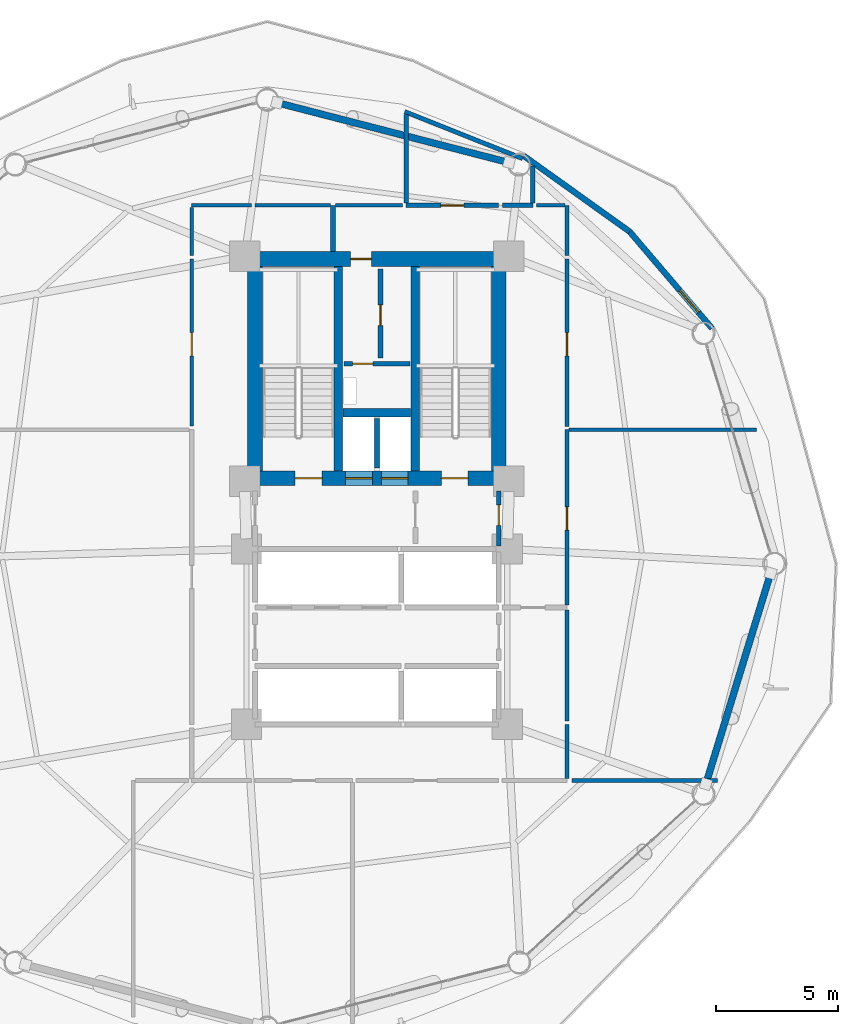
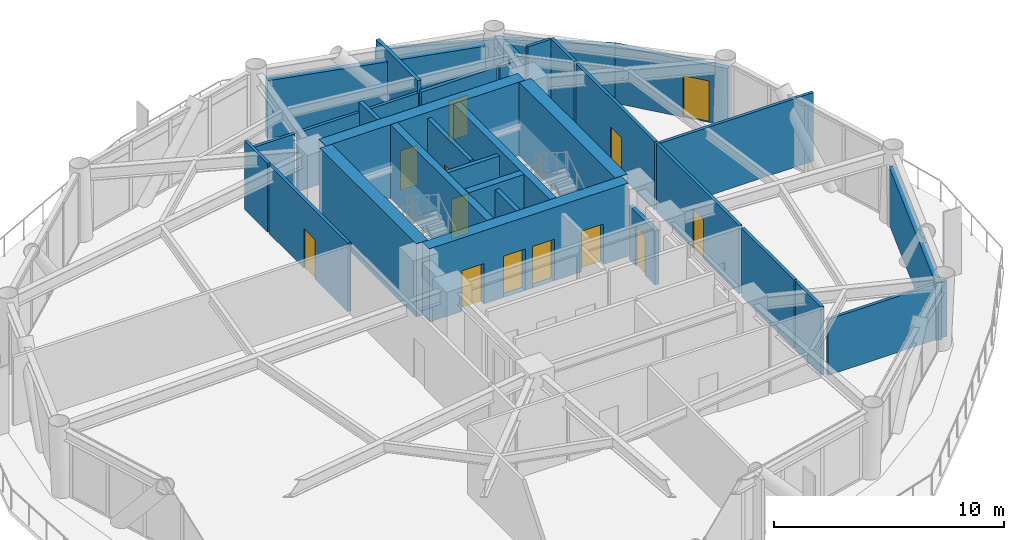
# One storey, part 20 of 24: 34 walls, 13 doors, 13 openings.
"""IFC4 building model written with IfcOpenShell, lengths in metres."""

from ifc_helpers import new_model, si_unit, direction, frame, frame_2d, origin, place, context, subcontext, project, spatial, rectangle, extrude, material, layer, layer_set, type_object, element, fill, save


model = new_model("IFC4")

# Units and contexts
model_context = context("Model", 3, precision=1e-05, world=origin(), true_north=direction((0.0, 1.0)))
body_context = subcontext(model_context, "Body", "Model", "MODEL_VIEW")
ifc_project = project(units=[si_unit("LENGTHUNIT", "METRE"), si_unit("AREAUNIT", "SQUARE_METRE"), si_unit("VOLUMEUNIT", "CUBIC_METRE"), si_unit("PLANEANGLEUNIT", "RADIAN"), si_unit("MASSUNIT", "GRAM", prefix="KILO")], contexts=[model_context])

# Site, building, storey
site_placement = place(None, origin())
site = spatial("IfcSite", under=ifc_project, at=site_placement, CompositionType="ELEMENT")
building_placement = place(site_placement, origin())
building = spatial("IfcBuilding", under=site, at=building_placement, Name="Varnakorn Sky Granary", CompositionType="ELEMENT")
storey_placement = place(building_placement, frame((0.0, 0.0, 43.199951171875)))
storey = spatial("IfcBuildingStorey", under=building, at=storey_placement, Name="L10", CompositionType="ELEMENT", Elevation=43.199951171875)

# Walls
ifc_material_1 = material(Name="Concrete C50/60", Category="concrete")
ifc_layer_1 = layer(ifc_material_1, 0.35009765625, Name="Concrete C50/60")
ifc_layer_set_1 = layer_set([ifc_layer_1], Name="Concrete C50/60")
wall_type_1 = type_object("IfcWallType", Name="WT-CW-INT-350", PredefinedType="SHEAR", material=ifc_layer_set_1)
for number, where, z_axis, x_axis, name in (
    (1, (1.419921875, 3.81005859375, 0.0), (0.0, 0.0, 1.0), (0.0, 1.0, 0.0), "Stair ST-1 Core Wall L10"),
    (2, (4.580078125, 3.81005859375, 0.0), (0.0, 0.0, 1.0), (0.0, 1.0, 0.0), "Stair ST-2 Core Wall L10"),
):
    element("IfcWall", number, at=place(storey_placement, frame(where, z_axis=z_axis, x_axis=x_axis)), inside=storey, type_object=wall_type_1, Name=name, PredefinedType="SHEAR", context=body_context, shape_type="SweptSolid", body=[
        extrude(rectangle(XDim=8.3798828125, YDim=0.35009765625, at=frame_2d((4.18994140625, 0.0))), origin(), (0.0, 0.0, 1.0), 3.89208984375),
    ])
wall_1_placement = place(storey_placement, frame((1.610107421875, 6.199951171875, 0.0), z_axis=(0.0, 0.0, 1.0), x_axis=(1.0, 0.0, 0.0)))
element("IfcWall", 3, at=wall_1_placement, inside=storey, type_object=wall_type_1, Name="Core Lift Shaft Cross Wall L10", PredefinedType="SHEAR", context=body_context, shape_type="SweptSolid", body=[
    extrude(rectangle(XDim=2.77978515625, YDim=0.35009765625, at=frame_2d((1.389892578125, 0.0))), origin(), (0.0, 0.0, 1.0), 3.89208984375),
])

# Wall, openings, doors
ifc_material_2 = material(Name="Concrete C60/75", Category="concrete")
ifc_layer_2 = layer(ifc_material_2, 0.60009765625, Name="Concrete C60/75")
ifc_layer_set_2 = layer_set([ifc_layer_2], Name="Concrete C60/75")
wall_type_2 = type_object("IfcWallType", Name="WT-CW-SHEAR-600", PredefinedType="SHEAR", material=ifc_layer_set_2)
wall_2_placement = place(storey_placement, frame((-2.0, 3.5, 0.0), z_axis=(0.0, 0.0, 1.0), x_axis=(1.0, 0.0, 0.0)))
wall_2 = element("IfcWall", 4, at=wall_2_placement, inside=storey, type_object=wall_type_2, Name="Core South Shear Wall L10", PredefinedType="SHEAR", context=body_context, shape_type="SweptSolid", body=[
    extrude(rectangle(XDim=10.0, YDim=0.60009765625, at=frame_2d((5.0, 0.0))), origin(), (0.0, 0.0, 1.0), 3.89208984375),
])
opening_1_placement = place(wall_2_placement, frame((1.64990234375, 0.0, 0.0)))
opening_1 = element("IfcOpeningElement", 5, at=opening_1_placement, cuts=wall_2, Name="Opening FD-90", PredefinedType="OPENING", context=body_context, shape_type="SweptSolid", body=[
    extrude(rectangle(XDim=1.10009765625, YDim=2.14990234375, at=frame_2d((0.550048828125, 1.074951171875))), frame((0.0, 0.31005859375, 0.0), z_axis=(0.0, -1.0, 0.0), x_axis=(1.0, 0.0, 0.0)), (0.0, 0.0, 1.0), 0.6201171875),
])
opening_2_placement = place(wall_2_placement, frame((7.64990234375, 0.0, 0.0)))
opening_2 = element("IfcOpeningElement", 6, at=opening_2_placement, cuts=wall_2, Name="Opening FD-90", PredefinedType="OPENING", context=body_context, shape_type="SweptSolid", body=[
    extrude(rectangle(XDim=1.10009765625, YDim=2.14990234375, at=frame_2d((0.550048828125, 1.074951171875))), frame((0.0, 0.31005859375, 0.0), z_axis=(0.0, -1.0, 0.0), x_axis=(1.0, 0.0, 0.0)), (0.0, 0.0, 1.0), 0.6201171875),
])
opening_3_placement = place(wall_2_placement, frame((3.719970703125, 0.0, 0.0)))
opening_3 = element("IfcOpeningElement", 7, at=opening_3_placement, cuts=wall_2, Name="Opening LD-01", PredefinedType="OPENING", context=body_context, shape_type="SweptSolid", body=[
    extrude(rectangle(XDim=1.10009765625, YDim=2.199951171875, at=frame_2d((0.550048828125, 1.10009765625))), frame((0.0, 0.31005859375, 0.0), z_axis=(0.0, -1.0, 0.0), x_axis=(1.0, 0.0, 0.0)), (0.0, 0.0, 1.0), 0.6201171875),
])
opening_4_placement = place(wall_2_placement, frame((5.179931640625, 0.0, 0.0)))
opening_4 = element("IfcOpeningElement", 8, at=opening_4_placement, cuts=wall_2, Name="Opening LD-01", PredefinedType="OPENING", context=body_context, shape_type="SweptSolid", body=[
    extrude(rectangle(XDim=1.10009765625, YDim=2.199951171875, at=frame_2d((0.550048828125, 1.10009765625))), frame((0.0, 0.31005859375, 0.0), z_axis=(0.0, -1.0, 0.0), x_axis=(1.0, 0.0, 0.0)), (0.0, 0.0, 1.0), 0.6201171875),
])
ifc_material_3 = material(Name="Brushed Bronze Stainless Steel", Category="steel")
door_type_1 = type_object("IfcDoorType", Name="DR-LD-1100", OperationType="DOUBLE_DOOR_SLIDING", PredefinedType="DOOR", material=ifc_material_3)
door_1_placement = place(opening_3_placement, origin())
door_1 = element("IfcDoor", 9, at=door_1_placement, inside=storey, type_object=door_type_1, Name="Firefighting Lift FFL-1 Landing Door L10", OperationType="DOUBLE_DOOR_SLIDING", OverallHeight=2.199951171875, OverallWidth=1.10009765625, PredefinedType="DOOR", context=body_context, shape_type="SweptSolid", body=[
    extrude(rectangle(XDim=1.10009765625, YDim=2.199951171875, at=frame_2d((0.550048828125, 1.10009765625))), frame((0.0, 0.02490234375, 0.0), z_axis=(0.0, -1.0, 0.0), x_axis=(1.0, 0.0, 0.0)), (0.0, 0.0, 1.0), 0.050048828125),
])
fill(opening_3, door_1)
door_2_placement = place(opening_4_placement, origin())
door_2 = element("IfcDoor", 10, at=door_2_placement, inside=storey, type_object=door_type_1, Name="Firefighting Lift FFL-2 Landing Door L10", OperationType="DOUBLE_DOOR_SLIDING", OverallHeight=2.199951171875, OverallWidth=1.10009765625, PredefinedType="DOOR", context=body_context, shape_type="SweptSolid", body=[
    extrude(rectangle(XDim=1.10009765625, YDim=2.199951171875, at=frame_2d((0.550048828125, 1.10009765625))), frame((0.0, 0.02490234375, 0.0), z_axis=(0.0, -1.0, 0.0), x_axis=(1.0, 0.0, 0.0)), (0.0, 0.0, 1.0), 0.050048828125),
])
fill(opening_4, door_2)
ifc_material_4 = material(Name="Galvanised Painted Steel Leaf", Category="steel")
door_type_2 = type_object("IfcDoorType", Name="DR-STAIR-1100", OperationType="NOTDEFINED", PredefinedType="DOOR", material=ifc_material_4)
door_3_placement = place(opening_1_placement, origin())
door_3 = element("IfcDoor", 11, at=door_3_placement, inside=storey, type_object=door_type_2, Name="Stair ST-1 Protected Fire Door L10", OperationType="SINGLE_SWING_LEFT", OverallHeight=2.14990234375, OverallWidth=1.10009765625, PredefinedType="DOOR", context=body_context, shape_type="SweptSolid", body=[
    extrude(rectangle(XDim=1.10009765625, YDim=2.14990234375, at=frame_2d((0.550048828125, 1.074951171875))), frame((0.0, 0.02490234375, 0.0), z_axis=(0.0, -1.0, 0.0), x_axis=(1.0, 0.0, 0.0)), (0.0, 0.0, 1.0), 0.050048828125),
])
fill(opening_1, door_3)
door_4_placement = place(opening_2_placement, origin())
door_4 = element("IfcDoor", 12, at=door_4_placement, inside=storey, type_object=door_type_2, Name="Stair ST-2 Protected Fire Door L10", OperationType="SINGLE_SWING_RIGHT", OverallHeight=2.14990234375, OverallWidth=1.10009765625, PredefinedType="DOOR", context=body_context, shape_type="SweptSolid", body=[
    extrude(rectangle(XDim=1.10009765625, YDim=2.14990234375, at=frame_2d((0.550048828125, 1.074951171875))), frame((0.0, 0.02490234375, 0.0), z_axis=(0.0, -1.0, 0.0), x_axis=(1.0, 0.0, 0.0)), (0.0, 0.0, 1.0), 0.050048828125),
])
fill(opening_2, door_4)

# Wall, opening, door
wall_3_placement = place(storey_placement, frame((-2.0, 12.5, 0.0), z_axis=(0.0, 0.0, 1.0), x_axis=(1.0, 0.0, 0.0)))
wall_3 = element("IfcWall", 13, at=wall_3_placement, inside=storey, type_object=wall_type_2, Name="Core North Shear Wall L10", PredefinedType="SHEAR", context=body_context, shape_type="SweptSolid", body=[
    extrude(rectangle(XDim=10.0, YDim=0.60009765625, at=frame_2d((5.0, 0.0))), origin(), (0.0, 0.0, 1.0), 3.89208984375),
])
opening_5_placement = place(wall_3_placement, frame((3.919921875, 0.0, 0.0)))
opening_5 = element("IfcOpeningElement", 14, at=opening_5_placement, cuts=wall_3, Name="Opening FD-60N", PredefinedType="OPENING", context=body_context, shape_type="SweptSolid", body=[
    extrude(rectangle(XDim=0.85009765625, YDim=2.10009765625, at=frame_2d((0.425048828125, 1.050048828125))), frame((0.0, 0.31005859375, 0.0), z_axis=(0.0, -1.0, 0.0), x_axis=(1.0, 0.0, 0.0)), (0.0, 0.0, 1.0), 0.6201171875),
])
ifc_material_5 = material(Name="Acoustic Timber Fire Leaf", Category="wood")
door_type_3 = type_object("IfcDoorType", Name="DR-FD60-850", OperationType="NOTDEFINED", PredefinedType="DOOR", material=ifc_material_5)
door_5_placement = place(opening_5_placement, origin())
door_5 = element("IfcDoor", 15, at=door_5_placement, inside=storey, type_object=door_type_3, Name="Core North Service Door L10", OperationType="SINGLE_SWING_RIGHT", OverallHeight=2.10009765625, OverallWidth=0.85009765625, PredefinedType="DOOR", context=body_context, shape_type="SweptSolid", body=[
    extrude(rectangle(XDim=0.85009765625, YDim=2.10009765625, at=frame_2d((0.425048828125, 1.050048828125))), frame((0.0, 0.02490234375, 0.0), z_axis=(0.0, -1.0, 0.0), x_axis=(1.0, 0.0, 0.0)), (0.0, 0.0, 1.0), 0.050048828125),
])
fill(opening_5, door_5)

# Walls
for number, where, z_axis, x_axis, name in (
    (16, (-2.0, 3.81005859375, 0.0), (0.0, 0.0, 1.0), (0.0, 1.0, 0.0), "Core West Shear Wall L10"),
    (17, (8.0, 3.81005859375, 0.0), (0.0, 0.0, 1.0), (0.0, 1.0, 0.0), "Core East Shear Wall L10"),
):
    element("IfcWall", number, at=place(storey_placement, frame(where, z_axis=z_axis, x_axis=x_axis)), inside=storey, type_object=wall_type_2, Name=name, PredefinedType="SHEAR", context=body_context, shape_type="SweptSolid", body=[
        extrude(rectangle(XDim=8.3798828125, YDim=0.60009765625, at=frame_2d((4.18994140625, 0.0))), origin(), (0.0, 0.0, 1.0), 3.89208984375),
    ])

# Wall, opening, door
ifc_material_6 = material(Name="Precast concrete C40/50", Category="concrete")
ifc_layer_3 = layer(ifc_material_6, 0.239990234375, Name="Precast concrete C40/50")
ifc_layer_set_3 = layer_set([ifc_layer_3], Name="Precast concrete C40/50")
wall_type_3 = type_object("IfcWallType", Name="WT-EW-BAL-260", PredefinedType="SOLIDWALL", material=ifc_layer_set_3)
wall_4_placement = place(storey_placement, frame((13.371826171875, 13.625244140625, 0.0), z_axis=(0.0, 0.0, 1.0), x_axis=(0.648574995878, -0.761150756895, 0.0)))
wall_4 = element("IfcWall", 18, at=wall_4_placement, inside=storey, type_object=wall_type_3, Name="Balcony Threshold Facade Wall L10-B02A", PredefinedType="SOLIDWALL", context=body_context, shape_type="SweptSolid", body=[
    extrude(rectangle(XDim=5.213623046875, YDim=0.239990234375, at=frame_2d((2.60693359375, 0.0))), origin(), (0.0, 0.0, 1.0), 3.06005859375),
])
opening_6_placement = place(wall_4_placement, frame((3.1630859375, 0.0, 0.0)))
opening_6 = element("IfcOpeningElement", 19, at=opening_6_placement, cuts=wall_4, Name="Opening BD-01", PredefinedType="OPENING", context=body_context, shape_type="SweptSolid", body=[
    extrude(rectangle(XDim=1.199951171875, YDim=2.199951171875, at=frame_2d((0.60009765625, 1.10009765625))), frame((0.0, 0.1298828125, 0.0), z_axis=(0.0, -1.0, 0.0), x_axis=(1.0, 0.0, 0.0)), (0.0, 0.0, 1.0), 0.260009765625),
])
ifc_material_7 = material(Name="Anodised Bronze Aluminium Alloy 6063-T6", Category="aluminium")
door_type_4 = type_object("IfcDoorType", Name="DR-BAL-1200", OperationType="NOTDEFINED", PredefinedType="DOOR", material=ifc_material_7)
door_6_placement = place(opening_6_placement, origin())
door_6 = element("IfcDoor", 20, at=door_6_placement, inside=storey, type_object=door_type_4, Name="Sky-Farm Balcony Access Door L10", OperationType="SINGLE_SWING_RIGHT", OverallHeight=2.199951171875, OverallWidth=1.199951171875, PredefinedType="DOOR", context=body_context, shape_type="SweptSolid", body=[
    extrude(rectangle(XDim=1.199951171875, YDim=2.199951171875, at=frame_2d((0.60009765625, 1.10009765625))), frame((0.0, 0.02490234375, 0.0), z_axis=(0.0, -1.0, 0.0), x_axis=(1.0, 0.0, 0.0)), (0.0, 0.0, 1.0), 0.050048828125),
])
fill(opening_6, door_6)

# Walls
wall_5_placement = place(storey_placement, frame((9.03857421875, 16.726318359375, 0.0), z_axis=(0.0, 0.0, 1.0), x_axis=(0.81320995836, -0.581970414733, 0.0)))
element("IfcWall", 21, at=wall_5_placement, inside=storey, type_object=wall_type_3, Name="Balcony Return Facade Wall L10-B02B", PredefinedType="SOLIDWALL", context=body_context, shape_type="SweptSolid", body=[
    extrude(rectangle(XDim=5.32861328125, YDim=0.239990234375, at=frame_2d((2.664306640625, 0.0))), origin(), (0.0, 0.0, 1.0), 3.06005859375),
])
ifc_layer_4 = layer(ifc_material_6, 0.280029296875, Name="Precast concrete C40/50")
ifc_layer_set_4 = layer_set([ifc_layer_4], Name="Precast concrete C40/50")
wall_type_4 = type_object("IfcWallType", Name="WT-EW-CRN-280", PredefinedType="SOLIDWALL", material=ifc_layer_set_4)
wall_6_placement = place(storey_placement, frame((-1.10107421875, 18.916015625, 0.0), z_axis=(0.0, 0.0, 1.0), x_axis=(0.96825872694, -0.249950070424, 0.0)))
element("IfcWall", 22, at=wall_6_placement, inside=storey, type_object=wall_type_4, Name="Agritech Insulated Precast Facade Wall L10-P03", PredefinedType="SOLIDWALL", context=body_context, shape_type="SweptSolid", body=[
    extrude(rectangle(XDim=9.837890625, YDim=0.280029296875, at=frame_2d((4.9189453125, 0.0))), origin(), (0.0, 0.0, 1.0), 3.06005859375),
])
wall_7_placement = place(storey_placement, frame((19.160888671875, -0.393798828125, 0.0), z_axis=(0.0, 0.0, 1.0), x_axis=(-0.293714423694, -0.955893214388, 0.0)))
element("IfcWall", 23, at=wall_7_placement, inside=storey, type_object=wall_type_4, Name="Agritech Insulated Precast Facade Wall L10-P12", PredefinedType="SOLIDWALL", context=body_context, shape_type="SweptSolid", body=[
    extrude(rectangle(XDim=9.0537109375, YDim=0.280029296875, at=frame_2d((4.52685546875, 0.0))), origin(), (0.0, 0.0, 1.0), 3.06005859375),
])

# Wall, opening, door
ifc_material_8 = material(Name="Autoclaved Aerated Concrete Blockwork", Category="masonry")
ifc_layer_5 = layer(ifc_material_8, 0.199951171875, Name="Autoclaved Aerated Concrete Blockwork")
ifc_layer_set_5 = layer_set([ifc_layer_5], Name="Autoclaved Aerated Concrete Blockwork")
wall_type_5 = type_object("IfcWallType", Name="WT-FIRE-200", PredefinedType="MOVABLE", material=ifc_layer_set_5)
wall_8_placement = place(storey_placement, frame((1.64990234375, 8.199951171875, 0.0), z_axis=(0.0, 0.0, 1.0), x_axis=(1.0, 0.0, 0.0)))
wall_8 = element("IfcWall", 24, at=wall_8_placement, inside=storey, type_object=wall_type_5, Name="Interior Partition Wall L10-015", PredefinedType="MOVABLE", context=body_context, shape_type="SweptSolid", body=[
    extrude(rectangle(XDim=2.7001953125, YDim=0.199951171875, at=frame_2d((1.35009765625, 0.0))), origin(), (0.0, 0.0, 1.0), 3.64013671875),
])
opening_7_placement = place(wall_8_placement, frame((0.35009765625, 0.0, 0.0)))
opening_7 = element("IfcOpeningElement", 25, at=opening_7_placement, cuts=wall_8, Name="Opening FD-60N", PredefinedType="OPENING", context=body_context, shape_type="SweptSolid", body=[
    extrude(rectangle(XDim=0.85009765625, YDim=2.10009765625, at=frame_2d((0.425048828125, 1.050048828125))), frame((0.0, 0.10986328125, 0.0), z_axis=(0.0, -1.0, 0.0), x_axis=(1.0, 0.0, 0.0)), (0.0, 0.0, 1.0), 0.219970703125),
])
door_7_placement = place(opening_7_placement, origin())
door_7 = element("IfcDoor", 26, at=door_7_placement, inside=storey, type_object=door_type_3, Name="Interior Door L10-015-1", OperationType="SINGLE_SWING_LEFT", OverallHeight=2.10009765625, OverallWidth=0.85009765625, PredefinedType="DOOR", context=body_context, shape_type="SweptSolid", body=[
    extrude(rectangle(XDim=0.85009765625, YDim=2.10009765625, at=frame_2d((0.425048828125, 1.050048828125))), frame((0.0, 0.02490234375, 0.0), z_axis=(0.0, -1.0, 0.0), x_axis=(1.0, 0.0, 0.0)), (0.0, 0.0, 1.0), 0.050048828125),
])
fill(opening_7, door_7)

wall_9_placement = place(storey_placement, frame((3.14990234375, 8.429931640625, 0.0), z_axis=(0.0, 0.0, 1.0), x_axis=(0.0, 1.0, 0.0)))
wall_9 = element("IfcWall", 27, at=wall_9_placement, inside=storey, type_object=wall_type_5, Name="Interior Partition Wall L10-016", PredefinedType="MOVABLE", context=body_context, shape_type="SweptSolid", body=[
    extrude(rectangle(XDim=3.670166015625, YDim=0.199951171875, at=frame_2d((1.8349609375, 0.0))), origin(), (0.0, 0.0, 1.0), 3.64013671875),
])
opening_8_placement = place(wall_9_placement, frame((1.340087890625, 0.0, 0.0)))
opening_8 = element("IfcOpeningElement", 28, at=opening_8_placement, cuts=wall_9, Name="Opening FD-60N", PredefinedType="OPENING", context=body_context, shape_type="SweptSolid", body=[
    extrude(rectangle(XDim=0.85009765625, YDim=2.10009765625, at=frame_2d((0.425048828125, 1.050048828125))), frame((0.0, 0.10986328125, 0.0), z_axis=(0.0, -1.0, 0.0), x_axis=(1.0, 0.0, 0.0)), (0.0, 0.0, 1.0), 0.219970703125),
])
door_8_placement = place(opening_8_placement, origin())
door_8 = element("IfcDoor", 29, at=door_8_placement, inside=storey, type_object=door_type_3, Name="Interior Door L10-016-1", OperationType="SINGLE_SWING_RIGHT", OverallHeight=2.10009765625, OverallWidth=0.85009765625, PredefinedType="DOOR", context=body_context, shape_type="SweptSolid", body=[
    extrude(rectangle(XDim=0.85009765625, YDim=2.10009765625, at=frame_2d((0.425048828125, 1.050048828125))), frame((0.0, 0.02490234375, 0.0), z_axis=(0.0, -1.0, 0.0), x_axis=(1.0, 0.0, 0.0)), (0.0, 0.0, 1.0), 0.050048828125),
])
fill(opening_8, door_8)

wall_10_placement = place(storey_placement, frame((8.0, 0.719970703125, 0.0), z_axis=(0.0, 0.0, 1.0), x_axis=(0.0, 1.0, 0.0)))
wall_10 = element("IfcWall", 30, at=wall_10_placement, inside=storey, type_object=wall_type_5, Name="Interior Partition Wall L10-019", PredefinedType="MOVABLE", context=body_context, shape_type="SweptSolid", body=[
    extrude(rectangle(XDim=2.25, YDim=0.199951171875, at=frame_2d((1.125, 0.0))), origin(), (0.0, 0.0, 1.0), 2.8720703125),
])
opening_9_placement = place(wall_10_placement, frame((0.844970703125, 0.0, 0.0)))
opening_9 = element("IfcOpeningElement", 31, at=opening_9_placement, cuts=wall_10, Name="Opening FD-60N", PredefinedType="OPENING", context=body_context, shape_type="SweptSolid", body=[
    extrude(rectangle(XDim=0.85009765625, YDim=2.10009765625, at=frame_2d((0.425048828125, 1.050048828125))), frame((0.0, 0.10986328125, 0.0), z_axis=(0.0, -1.0, 0.0), x_axis=(1.0, 0.0, 0.0)), (0.0, 0.0, 1.0), 0.219970703125),
])
door_9_placement = place(opening_9_placement, origin())
door_9 = element("IfcDoor", 32, at=door_9_placement, inside=storey, type_object=door_type_3, Name="Interior Door L10-019-1", OperationType="SINGLE_SWING_LEFT", OverallHeight=2.10009765625, OverallWidth=0.85009765625, PredefinedType="DOOR", context=body_context, shape_type="SweptSolid", body=[
    extrude(rectangle(XDim=0.85009765625, YDim=2.10009765625, at=frame_2d((0.425048828125, 1.050048828125))), frame((0.0, 0.02490234375, 0.0), z_axis=(0.0, -1.0, 0.0), x_axis=(1.0, 0.0, 0.0)), (0.0, 0.0, 1.0), 0.050048828125),
])
fill(opening_9, door_9)

# Wall
wall_11_placement = place(storey_placement, frame((1.199951171875, 14.699951171875, 0.0), z_axis=(0.0, 0.0, 1.0), x_axis=(0.0, -1.0, 0.0)))
element("IfcWall", 33, at=wall_11_placement, inside=storey, type_object=wall_type_5, Name="Interior Partition Wall L10-031", PredefinedType="MOVABLE", context=body_context, shape_type="SweptSolid", body=[
    extrude(rectangle(XDim=1.889892578125, YDim=0.199951171875, at=frame_2d((0.94482421875, 0.0))), origin(), (0.0, 0.0, 1.0), 3.64013671875),
])

# Wall, opening, door
ifc_material_9 = material(Name="Gypsum Plasterboard on Steel Stud", Category="steel")
ifc_layer_6 = layer(ifc_material_9, 0.14990234375, Name="Gypsum Plasterboard on Steel Stud")
ifc_layer_set_6 = layer_set([ifc_layer_6], Name="Gypsum Plasterboard on Steel Stud")
wall_type_6 = type_object("IfcWallType", Name="WT-PART-150", PredefinedType="PARTITIONING", material=ifc_layer_set_6)
wall_12_placement = place(storey_placement, frame((10.800048828125, -1.68994140625, 0.0), z_axis=(0.0, 0.0, 1.0), x_axis=(0.0, 1.0, 0.0)))
wall_12 = element("IfcWall", 34, at=wall_12_placement, inside=storey, type_object=wall_type_6, Name="Interior Partition Wall L10-027", PredefinedType="PARTITIONING", context=body_context, shape_type="SweptSolid", body=[
    extrude(rectangle(XDim=7.18994140625, YDim=0.14990234375, at=frame_2d((3.594970703125, 0.0))), origin(), (0.0, 0.0, 1.0), 3.64013671875),
])
opening_10_placement = place(wall_12_placement, frame((3.06494140625, 0.0, 0.0)))
opening_10 = element("IfcOpeningElement", 35, at=opening_10_placement, cuts=wall_12, Name="Opening ID-95", PredefinedType="OPENING", context=body_context, shape_type="SweptSolid", body=[
    extrude(rectangle(XDim=0.949951171875, YDim=2.10009765625, at=frame_2d((0.47509765625, 1.050048828125))), frame((0.0, 0.0849609375, 0.0), z_axis=(0.0, -1.0, 0.0), x_axis=(1.0, 0.0, 0.0)), (0.0, 0.0, 1.0), 0.169921875),
])
ifc_material_10 = material(Name="Solid-Core Teak Veneer Leaf", Category="timber")
door_type_5 = type_object("IfcDoorType", Name="DR-INT-950", OperationType="NOTDEFINED", PredefinedType="DOOR", material=ifc_material_10)
door_10_placement = place(opening_10_placement, origin())
door_10 = element("IfcDoor", 36, at=door_10_placement, inside=storey, type_object=door_type_5, Name="Interior Door L10-027-1", OperationType="SINGLE_SWING_LEFT", OverallHeight=2.10009765625, OverallWidth=0.949951171875, PredefinedType="DOOR", context=body_context, shape_type="SweptSolid", body=[
    extrude(rectangle(XDim=0.949951171875, YDim=2.10009765625, at=frame_2d((0.47509765625, 1.050048828125))), frame((0.0, 0.02490234375, 0.0), z_axis=(0.0, -1.0, 0.0), x_axis=(1.0, 0.0, 0.0)), (0.0, 0.0, 1.0), 0.050048828125),
])
fill(opening_10, door_10)

wall_13_placement = place(storey_placement, frame((-4.60009765625, 12.5, 0.0), z_axis=(0.0, 0.0, 1.0), x_axis=(0.0, -1.0, 0.0)))
wall_13 = element("IfcWall", 37, at=wall_13_placement, inside=storey, type_object=wall_type_6, Name="Interior Partition Wall L10-028", PredefinedType="PARTITIONING", context=body_context, shape_type="SweptSolid", body=[
    extrude(rectangle(XDim=6.85009765625, YDim=0.14990234375, at=frame_2d((3.425048828125, 0.0))), origin(), (0.0, 0.0, 1.0), 3.64013671875),
])
opening_11_placement = place(wall_13_placement, frame((3.02490234375, 0.0, 0.0)))
opening_11 = element("IfcOpeningElement", 38, at=opening_11_placement, cuts=wall_13, Name="Opening ID-95", PredefinedType="OPENING", context=body_context, shape_type="SweptSolid", body=[
    extrude(rectangle(XDim=0.949951171875, YDim=2.10009765625, at=frame_2d((0.47509765625, 1.050048828125))), frame((0.0, 0.0849609375, 0.0), z_axis=(0.0, -1.0, 0.0), x_axis=(1.0, 0.0, 0.0)), (0.0, 0.0, 1.0), 0.169921875),
])
door_11_placement = place(opening_11_placement, origin())
door_11 = element("IfcDoor", 39, at=door_11_placement, inside=storey, type_object=door_type_5, Name="Interior Door L10-028-1", OperationType="SINGLE_SWING_RIGHT", OverallHeight=2.10009765625, OverallWidth=0.949951171875, PredefinedType="DOOR", context=body_context, shape_type="SweptSolid", body=[
    extrude(rectangle(XDim=0.949951171875, YDim=2.10009765625, at=frame_2d((0.47509765625, 1.050048828125))), frame((0.0, 0.02490234375, 0.0), z_axis=(0.0, -1.0, 0.0), x_axis=(1.0, 0.0, 0.0)), (0.0, 0.0, 1.0), 0.050048828125),
])
fill(opening_11, door_11)

wall_14_placement = place(storey_placement, frame((10.800048828125, 5.635009765625, 0.0), z_axis=(0.0, 0.0, 1.0), x_axis=(0.0, 1.0, 0.0)))
wall_14 = element("IfcWall", 40, at=wall_14_placement, inside=storey, type_object=wall_type_6, Name="Interior Partition Wall L10-029", PredefinedType="PARTITIONING", context=body_context, shape_type="SweptSolid", body=[
    extrude(rectangle(XDim=6.864990234375, YDim=0.14990234375, at=frame_2d((3.4326171875, 0.0))), origin(), (0.0, 0.0, 1.0), 3.64013671875),
])
opening_12_placement = place(wall_14_placement, frame((2.889892578125, 0.0, 0.0)))
opening_12 = element("IfcOpeningElement", 41, at=opening_12_placement, cuts=wall_14, Name="Opening ID-95", PredefinedType="OPENING", context=body_context, shape_type="SweptSolid", body=[
    extrude(rectangle(XDim=0.949951171875, YDim=2.10009765625, at=frame_2d((0.47509765625, 1.050048828125))), frame((0.0, 0.0849609375, 0.0), z_axis=(0.0, -1.0, 0.0), x_axis=(1.0, 0.0, 0.0)), (0.0, 0.0, 1.0), 0.169921875),
])
door_12_placement = place(opening_12_placement, origin())
door_12 = element("IfcDoor", 42, at=door_12_placement, inside=storey, type_object=door_type_5, Name="Interior Door L10-029-1", OperationType="SINGLE_SWING_LEFT", OverallHeight=2.10009765625, OverallWidth=0.949951171875, PredefinedType="DOOR", context=body_context, shape_type="SweptSolid", body=[
    extrude(rectangle(XDim=0.949951171875, YDim=2.10009765625, at=frame_2d((0.47509765625, 1.050048828125))), frame((0.0, 0.02490234375, 0.0), z_axis=(0.0, -1.0, 0.0), x_axis=(1.0, 0.0, 0.0)), (0.0, 0.0, 1.0), 0.050048828125),
])
fill(opening_12, door_12)

# Walls
wall_15_placement = place(storey_placement, frame((11.0, -8.89990234375, 0.0), z_axis=(0.0, 0.0, 1.0), x_axis=(1.0, 0.0, 0.0)))
element("IfcWall", 43, at=wall_15_placement, inside=storey, type_object=wall_type_6, Name="Interior Partition Wall L10-038", PredefinedType="PARTITIONING", context=body_context, shape_type="SweptSolid", body=[
    extrude(rectangle(XDim=5.97900390625, YDim=0.14990234375, at=frame_2d((2.989501953125, 0.0))), origin(), (0.0, 0.0, 1.0), 2.97216796875),
])
wall_16_placement = place(storey_placement, frame((10.800048828125, -8.81494140625, 0.0), z_axis=(0.0, 0.0, 1.0), x_axis=(0.0, 1.0, 0.0)))
element("IfcWall", 44, at=wall_16_placement, inside=storey, type_object=wall_type_6, Name="Interior Partition Wall L10-041", PredefinedType="PARTITIONING", context=body_context, shape_type="SweptSolid", body=[
    extrude(rectangle(XDim=2.21484375, YDim=0.14990234375, at=frame_2d((1.107421875, 0.0))), origin(), (0.0, 0.0, 1.0), 3.64013671875),
])
wall_17_placement = place(storey_placement, frame((10.800048828125, -6.465087890625, 0.0), z_axis=(0.0, 0.0, 1.0), x_axis=(0.0, 1.0, 0.0)))
element("IfcWall", 45, at=wall_17_placement, inside=storey, type_object=wall_type_6, Name="Interior Partition Wall L10-042", PredefinedType="PARTITIONING", context=body_context, shape_type="SweptSolid", body=[
    extrude(rectangle(XDim=4.55517578125, YDim=0.14990234375, at=frame_2d((2.277587890625, 0.0))), origin(), (0.0, 0.0, 1.0), 3.64013671875),
])
wall_18_placement = place(storey_placement, frame((10.885009765625, 5.5, 0.0), z_axis=(0.0, 0.0, 1.0), x_axis=(1.0, 0.0, 0.0)))
element("IfcWall", 46, at=wall_18_placement, inside=storey, type_object=wall_type_6, Name="Interior Partition Wall L10-043", PredefinedType="PARTITIONING", context=body_context, shape_type="SweptSolid", body=[
    extrude(rectangle(XDim=7.7041015625, YDim=0.14990234375, at=frame_2d((3.85205078125, 0.0))), origin(), (0.0, 0.0, 1.0), 3.64013671875),
])
wall_19_placement = place(storey_placement, frame((1.090087890625, 14.699951171875, 0.0), z_axis=(0.0, 0.0, 1.0), x_axis=(-1.0, 0.0, 0.0)))
element("IfcWall", 47, at=wall_19_placement, inside=storey, type_object=wall_type_6, Name="Interior Partition Wall L10-044", PredefinedType="PARTITIONING", context=body_context, shape_type="SweptSolid", body=[
    extrude(rectangle(XDim=3.090087890625, YDim=0.14990234375, at=frame_2d((1.544921875, 0.0))), origin(), (0.0, 0.0, 1.0), 3.1220703125),
])
wall_20_placement = place(storey_placement, frame((-2.135009765625, 14.699951171875, 0.0), z_axis=(0.0, 0.0, 1.0), x_axis=(-1.0, 0.0, 0.0)))
element("IfcWall", 48, at=wall_20_placement, inside=storey, type_object=wall_type_6, Name="Interior Partition Wall L10-045", PredefinedType="PARTITIONING", context=body_context, shape_type="SweptSolid", body=[
    extrude(rectangle(XDim=2.465087890625, YDim=0.14990234375, at=frame_2d((1.232421875, 0.0))), origin(), (0.0, 0.0, 1.0), 3.1220703125),
])
wall_21_placement = place(storey_placement, frame((-4.60009765625, 14.614990234375, 0.0), z_axis=(0.0, 0.0, 1.0), x_axis=(0.0, -1.0, 0.0)))
element("IfcWall", 49, at=wall_21_placement, inside=storey, type_object=wall_type_6, Name="Interior Partition Wall L10-046", PredefinedType="PARTITIONING", context=body_context, shape_type="SweptSolid", body=[
    extrude(rectangle(XDim=1.97998046875, YDim=0.14990234375, at=frame_2d((0.989990234375, 0.0))), origin(), (0.0, 0.0, 1.0), 3.64013671875),
])
wall_22_placement = place(storey_placement, frame((4.050048828125, 14.699951171875, 0.0), z_axis=(0.0, 0.0, 1.0), x_axis=(-1.0, 0.0, 0.0)))
element("IfcWall", 50, at=wall_22_placement, inside=storey, type_object=wall_type_6, Name="Interior Partition Wall L10-047", PredefinedType="PARTITIONING", context=body_context, shape_type="SweptSolid", body=[
    extrude(rectangle(XDim=2.739990234375, YDim=0.14990234375, at=frame_2d((1.3701171875, 0.0))), origin(), (0.0, 0.0, 1.0), 3.1220703125),
])
wall_23_placement = place(storey_placement, frame((10.800048828125, 12.635009765625, 0.0), z_axis=(0.0, 0.0, 1.0), x_axis=(0.0, 1.0, 0.0)))
element("IfcWall", 51, at=wall_23_placement, inside=storey, type_object=wall_type_6, Name="Interior Partition Wall L10-050", PredefinedType="PARTITIONING", context=body_context, shape_type="SweptSolid", body=[
    extrude(rectangle(XDim=2.06494140625, YDim=0.14990234375, at=frame_2d((1.032470703125, 0.0))), origin(), (0.0, 0.0, 1.0), 3.64013671875),
])
wall_24_placement = place(storey_placement, frame((10.715087890625, 14.699951171875, 0.0), z_axis=(0.0, 0.0, 1.0), x_axis=(-1.0, 0.0, 0.0)))
element("IfcWall", 52, at=wall_24_placement, inside=storey, type_object=wall_type_6, Name="Interior Partition Wall L10-051", PredefinedType="PARTITIONING", context=body_context, shape_type="SweptSolid", body=[
    extrude(rectangle(XDim=1.1650390625, YDim=0.14990234375, at=frame_2d((0.58251953125, 0.0))), origin(), (0.0, 0.0, 1.0), 3.64013671875),
])

# Wall, opening, door
ifc_material_11 = material(Name="Moisture-Resistant Gypsum on Stud", Category="gypsum")
ifc_layer_7 = layer(ifc_material_11, 0.179931640625, Name="Moisture-Resistant Gypsum on Stud")
ifc_layer_set_7 = layer_set([ifc_layer_7], Name="Moisture-Resistant Gypsum on Stud")
wall_type_7 = type_object("IfcWallType", Name="WT-PLUMB-180", PredefinedType="PLUMBINGWALL", material=ifc_layer_set_7)
wall_25_placement = place(storey_placement, frame((8.0, 14.699951171875, 0.0), z_axis=(0.0, 0.0, 1.0), x_axis=(-1.0, 0.0, 0.0)))
wall_25 = element("IfcWall", 53, at=wall_25_placement, inside=storey, type_object=wall_type_7, Name="Interior Partition Wall L10-023", PredefinedType="PLUMBINGWALL", context=body_context, shape_type="SweptSolid", body=[
    extrude(rectangle(XDim=3.800048828125, YDim=0.179931640625, at=frame_2d((1.89990234375, 0.0))), origin(), (0.0, 0.0, 1.0), 3.1220703125),
])
opening_13_placement = place(wall_25_placement, frame((1.425048828125, 0.0, 0.0)))
opening_13 = element("IfcOpeningElement", 54, at=opening_13_placement, cuts=wall_25, Name="Opening ID-95", PredefinedType="OPENING", context=body_context, shape_type="SweptSolid", body=[
    extrude(rectangle(XDim=0.949951171875, YDim=2.10009765625, at=frame_2d((0.47509765625, 1.050048828125))), frame((0.0, 0.10009765625, 0.0), z_axis=(0.0, -1.0, 0.0), x_axis=(1.0, 0.0, 0.0)), (0.0, 0.0, 1.0), 0.199951171875),
])
door_13_placement = place(opening_13_placement, origin())
door_13 = element("IfcDoor", 55, at=door_13_placement, inside=storey, type_object=door_type_5, Name="Interior Door L10-023-1", OperationType="SINGLE_SWING_LEFT", OverallHeight=2.10009765625, OverallWidth=0.949951171875, PredefinedType="DOOR", context=body_context, shape_type="SweptSolid", body=[
    extrude(rectangle(XDim=0.949951171875, YDim=2.10009765625, at=frame_2d((0.47509765625, 1.050048828125))), frame((0.0, 0.02490234375, 0.0), z_axis=(0.0, -1.0, 0.0), x_axis=(1.0, 0.0, 0.0)), (0.0, 0.0, 1.0), 0.050048828125),
])
fill(opening_13, door_13)

# Walls
wall_26_placement = place(storey_placement, frame((9.39990234375, 14.699951171875, 0.0), z_axis=(0.0, 0.0, 1.0), x_axis=(-1.0, 0.0, 0.0)))
element("IfcWall", 56, at=wall_26_placement, inside=storey, type_object=wall_type_7, Name="Interior Partition Wall L10-032", PredefinedType="PLUMBINGWALL", context=body_context, shape_type="SweptSolid", body=[
    extrude(rectangle(XDim=1.25, YDim=0.179931640625, at=frame_2d((0.625, 0.0))), origin(), (0.0, 0.0, 1.0), 3.1220703125),
])
wall_27_placement = place(storey_placement, frame((4.14404296875, 18.548095703125, 0.0), z_axis=(0.0, 0.0, 1.0), x_axis=(0.929003086602, -0.370071972844, 0.0)))
element("IfcWall", 57, at=wall_27_placement, inside=storey, type_object=wall_type_7, Name="Interior Partition Wall L10-048", PredefinedType="PLUMBINGWALL", context=body_context, shape_type="SweptSolid", body=[
    extrude(rectangle(XDim=5.204345703125, YDim=0.179931640625, at=frame_2d((2.60205078125, 0.0))), origin(), (0.0, 0.0, 1.0), 3.072021484375),
])
wall_28_placement = place(storey_placement, frame((4.199951171875, 18.426025390625, 0.0), z_axis=(0.0, 0.0, 1.0), x_axis=(0.0, -1.0, 0.0)))
element("IfcWall", 58, at=wall_28_placement, inside=storey, type_object=wall_type_7, Name="Interior Partition Wall L10-049", PredefinedType="PLUMBINGWALL", context=body_context, shape_type="SweptSolid", body=[
    extrude(rectangle(XDim=3.6259765625, YDim=0.179931640625, at=frame_2d((1.81298828125, 0.0))), origin(), (0.0, 0.0, 1.0), 3.64013671875),
])
wall_29_placement = place(storey_placement, frame((9.39990234375, 14.800048828125, 0.0), z_axis=(0.0, 0.0, 1.0), x_axis=(0.0, 1.0, 0.0)))
element("IfcWall", 59, at=wall_29_placement, inside=storey, type_object=wall_type_7, Name="Interior Partition Wall L10-052", PredefinedType="PLUMBINGWALL", context=body_context, shape_type="SweptSolid", body=[
    extrude(rectangle(XDim=1.52099609375, YDim=0.179931640625, at=frame_2d((0.760498046875, 0.0))), origin(), (0.0, 0.0, 1.0), 2.97216796875),
])
ifc_layer_8 = layer(ifc_material_8, 0.199951171875, Name="Autoclaved Aerated Concrete Blockwork")
ifc_layer_set_8 = layer_set([ifc_layer_8], Name="Autoclaved Aerated Concrete Blockwork")
wall_type_8 = type_object("IfcWallType", Name="WT-SHAFT-200", PredefinedType="SOLIDWALL", material=ifc_layer_set_8)
wall_30_placement = place(storey_placement, frame((3.0, 3.919921875, 0.0), z_axis=(0.0, 0.0, 1.0), x_axis=(0.0, 1.0, 0.0)))
element("IfcWall", 60, at=wall_30_placement, inside=storey, type_object=wall_type_8, Name="Interior Partition Wall L10-001", PredefinedType="SOLIDWALL", context=body_context, shape_type="SweptSolid", body=[
    extrude(rectangle(XDim=2.030029296875, YDim=0.199951171875, at=frame_2d((1.01513671875, 0.0))), origin(), (0.0, 0.0, 1.0), 3.64013671875),
])

save(model, "model.ifc")
